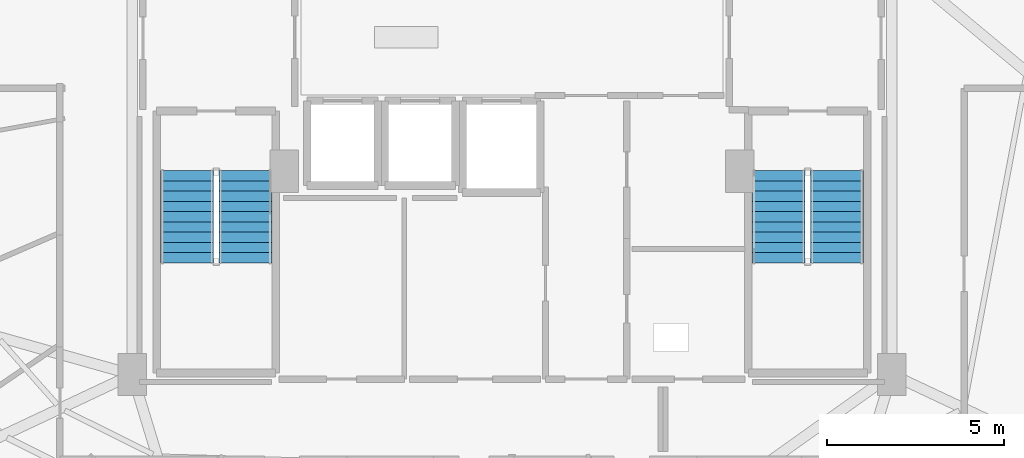
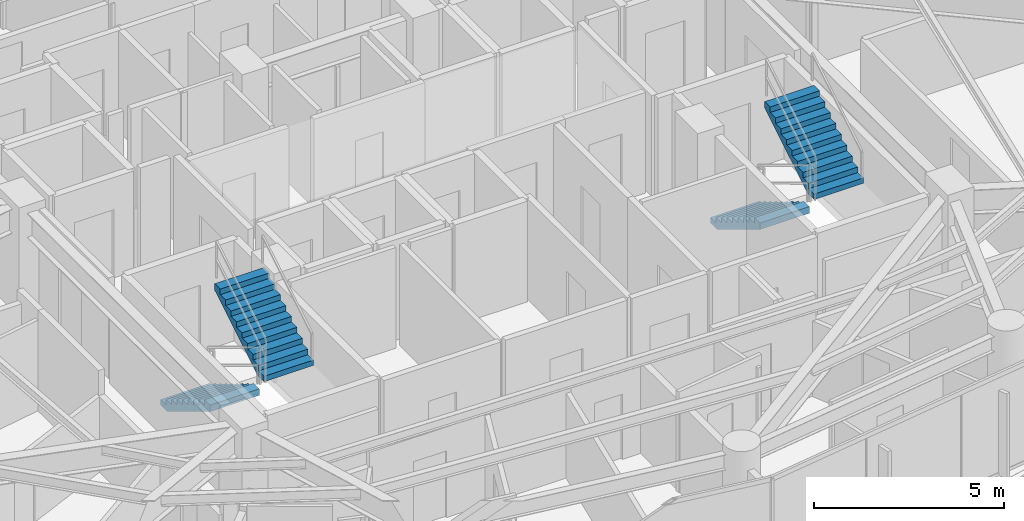
# One storey, part 27 of 31: 4 stair flights, 2 elements without a shape of their own.
"""IFC4 building model written with IfcOpenShell, lengths in metres."""

from ifc_helpers import new_model, si_unit, direction, frame, origin, place, context, subcontext, project, spatial, polyline, outline, extrude, material, type_object, element, aggregate, save


model = new_model("IFC4")

# Units and contexts
model_context = context("Model", 3, precision=1e-05, world=origin(), true_north=direction((0.0, 1.0)))
body_context = subcontext(model_context, "Body", "Model", "MODEL_VIEW")
ifc_project = project(units=[si_unit("LENGTHUNIT", "METRE"), si_unit("AREAUNIT", "SQUARE_METRE"), si_unit("VOLUMEUNIT", "CUBIC_METRE"), si_unit("PLANEANGLEUNIT", "RADIAN"), si_unit("MASSUNIT", "GRAM", prefix="KILO")], contexts=[model_context])

# Site, building, storey
site_placement = place(None, origin())
site = spatial("IfcSite", under=ifc_project, at=site_placement, CompositionType="ELEMENT")
building_placement = place(site_placement, origin())
building = spatial("IfcBuilding", under=site, at=building_placement, Name="Vorneva Point Tower", CompositionType="ELEMENT")
storey_placement = place(building_placement, frame((0.0, 0.0, 129.10009765625)))
storey = spatial("IfcBuildingStorey", under=building, at=storey_placement, Name="L34", CompositionType="ELEMENT", Elevation=129.10009765625)

# Stair, stair flights
ifc_material = material(Name="Concrete B50 (C40/50)", Category="concrete")
stair_type = type_object("IfcStairType", Name="ST-DOG-1500", PredefinedType="HALF_TURN_STAIR", material=ifc_material)
stair_1_placement = place(storey_placement, origin())
stair_1 = element("IfcStair", 1, at=stair_1_placement, inside=storey, type_object=stair_type, Name="L34 ST1", PredefinedType="HALF_TURN_STAIR")
stair_flight_type = type_object("IfcStairFlightType", Name="STF-1500", PredefinedType="STRAIGHT", material=ifc_material)
stair_flight_1_placement = place(storey_placement, frame((28.800048828125, 22.219970703125, 0.0), z_axis=(0.0, 0.0, 1.0), x_axis=(0.0, -1.0, 0.0)))
stair_flight_1 = element("IfcStairFlight", 2, at=stair_flight_1_placement, type_object=stair_flight_type, Name="ST1 flight 1", NumberOfRisers=10, NumberOfTreads=9, PredefinedType="STRAIGHT", RiserHeight=0.175, TreadLength=0.29, context=body_context, shape_type="SweptSolid", body=[
    extrude(outline(polyline([(0.0, 0.0), (0.0, 0.175048828125), (0.2900390625, 0.175048828125), (0.2900390625, 0.35009765625), (0.580078125, 0.35009765625), (0.580078125, 0.52490234375), (0.8701171875, 0.52490234375), (0.8701171875, 0.699951171875), (1.159912109375, 0.699951171875), (1.159912109375, 0.875), (1.449951171875, 0.875), (1.449951171875, 1.050048828125), (1.739990234375, 1.050048828125), (1.739990234375, 1.22509765625), (2.030029296875, 1.22509765625), (2.030029296875, 1.39990234375), (2.320068359375, 1.39990234375), (2.320068359375, 1.574951171875), (2.610107421875, 1.574951171875), (2.610107421875, 1.75), (2.610107421875, 1.36474609375), (0.34814453125, 0.0), (0.0, 0.0)])), frame((0.0, 0.75, 0.0), z_axis=(0.0, -1.0, 0.0), x_axis=(1.0, 0.0, 0.0)), (0.0, 0.0, 1.0), 1.5),
])
stair_flight_2_placement = place(storey_placement, frame((30.449951171875, 19.610107421875, 1.75), z_axis=(0.0, 0.0, 1.0), x_axis=(0.0, 1.0, 0.0)))
stair_flight_2 = element("IfcStairFlight", 3, at=stair_flight_2_placement, type_object=stair_flight_type, Name="ST1 flight 2", NumberOfRisers=10, NumberOfTreads=9, PredefinedType="STRAIGHT", RiserHeight=0.175, TreadLength=0.29, context=body_context, shape_type="SweptSolid", body=[
    extrude(outline(polyline([(0.0, 0.0), (0.0, 0.175048828125), (0.2900390625, 0.175048828125), (0.2900390625, 0.35009765625), (0.580078125, 0.35009765625), (0.580078125, 0.52490234375), (0.8701171875, 0.52490234375), (0.8701171875, 0.699951171875), (1.159912109375, 0.699951171875), (1.159912109375, 0.875), (1.449951171875, 0.875), (1.449951171875, 1.050048828125), (1.739990234375, 1.050048828125), (1.739990234375, 1.22509765625), (2.030029296875, 1.22509765625), (2.030029296875, 1.39990234375), (2.320068359375, 1.39990234375), (2.320068359375, 1.574951171875), (2.610107421875, 1.574951171875), (2.610107421875, 1.75), (2.610107421875, 1.36474609375), (0.34814453125, 0.0), (0.0, 0.0)])), frame((0.0, 0.75, 0.0), z_axis=(0.0, -1.0, 0.0), x_axis=(1.0, 0.0, 0.0)), (0.0, 0.0, 1.0), 1.5),
])
aggregate(stair_1, [stair_flight_1, stair_flight_2])

stair_2_placement = place(storey_placement, origin())
stair_2 = element("IfcStair", 4, at=stair_2_placement, inside=storey, type_object=stair_type, Name="L34 ST2", PredefinedType="HALF_TURN_STAIR")
stair_flight_3_placement = place(storey_placement, frame((45.550048828125, 22.219970703125, 0.0), z_axis=(0.0, 0.0, 1.0), x_axis=(0.0, -1.0, 0.0)))
stair_flight_3 = element("IfcStairFlight", 5, at=stair_flight_3_placement, type_object=stair_flight_type, Name="ST2 flight 1", NumberOfRisers=10, NumberOfTreads=9, PredefinedType="STRAIGHT", RiserHeight=0.175, TreadLength=0.29, context=body_context, shape_type="SweptSolid", body=[
    extrude(outline(polyline([(0.0, 0.0), (0.0, 0.175048828125), (0.2900390625, 0.175048828125), (0.2900390625, 0.35009765625), (0.580078125, 0.35009765625), (0.580078125, 0.52490234375), (0.8701171875, 0.52490234375), (0.8701171875, 0.699951171875), (1.159912109375, 0.699951171875), (1.159912109375, 0.875), (1.449951171875, 0.875), (1.449951171875, 1.050048828125), (1.739990234375, 1.050048828125), (1.739990234375, 1.22509765625), (2.030029296875, 1.22509765625), (2.030029296875, 1.39990234375), (2.320068359375, 1.39990234375), (2.320068359375, 1.574951171875), (2.610107421875, 1.574951171875), (2.610107421875, 1.75), (2.610107421875, 1.36474609375), (0.34814453125, 0.0), (0.0, 0.0)])), frame((0.0, 0.75, 0.0), z_axis=(0.0, -1.0, 0.0), x_axis=(1.0, 0.0, 0.0)), (0.0, 0.0, 1.0), 1.5),
])
stair_flight_4_placement = place(storey_placement, frame((47.199951171875, 19.610107421875, 1.75), z_axis=(0.0, 0.0, 1.0), x_axis=(0.0, 1.0, 0.0)))
stair_flight_4 = element("IfcStairFlight", 6, at=stair_flight_4_placement, type_object=stair_flight_type, Name="ST2 flight 2", NumberOfRisers=10, NumberOfTreads=9, PredefinedType="STRAIGHT", RiserHeight=0.175, TreadLength=0.29, context=body_context, shape_type="SweptSolid", body=[
    extrude(outline(polyline([(0.0, 0.0), (0.0, 0.175048828125), (0.2900390625, 0.175048828125), (0.2900390625, 0.35009765625), (0.580078125, 0.35009765625), (0.580078125, 0.52490234375), (0.8701171875, 0.52490234375), (0.8701171875, 0.699951171875), (1.159912109375, 0.699951171875), (1.159912109375, 0.875), (1.449951171875, 0.875), (1.449951171875, 1.050048828125), (1.739990234375, 1.050048828125), (1.739990234375, 1.22509765625), (2.030029296875, 1.22509765625), (2.030029296875, 1.39990234375), (2.320068359375, 1.39990234375), (2.320068359375, 1.574951171875), (2.610107421875, 1.574951171875), (2.610107421875, 1.75), (2.610107421875, 1.36474609375), (0.34814453125, 0.0), (0.0, 0.0)])), frame((0.0, 0.75, 0.0), z_axis=(0.0, -1.0, 0.0), x_axis=(1.0, 0.0, 0.0)), (0.0, 0.0, 1.0), 1.5),
])
aggregate(stair_2, [stair_flight_3, stair_flight_4])

save(model, "model.ifc")
